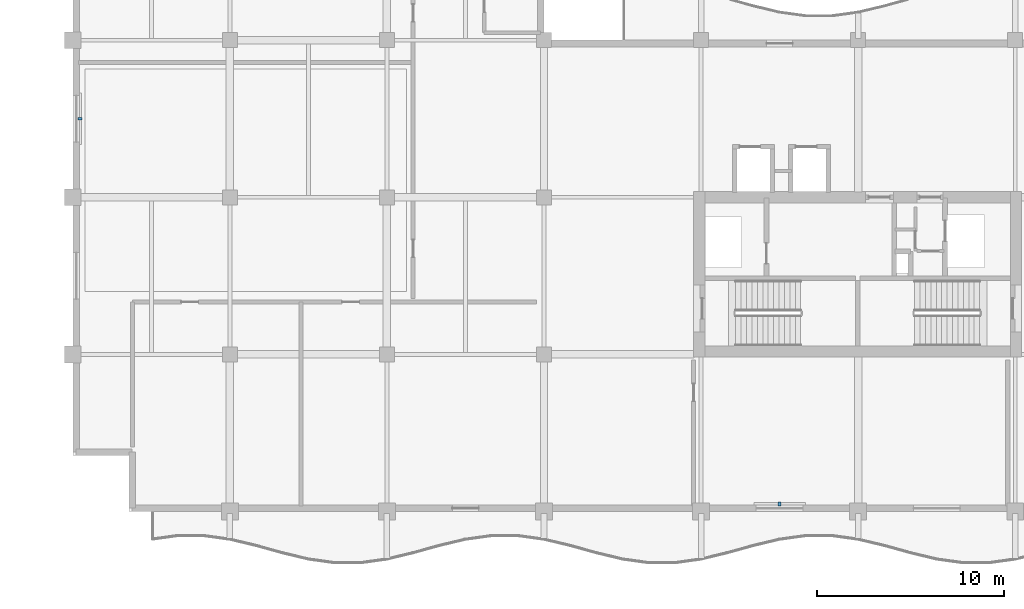
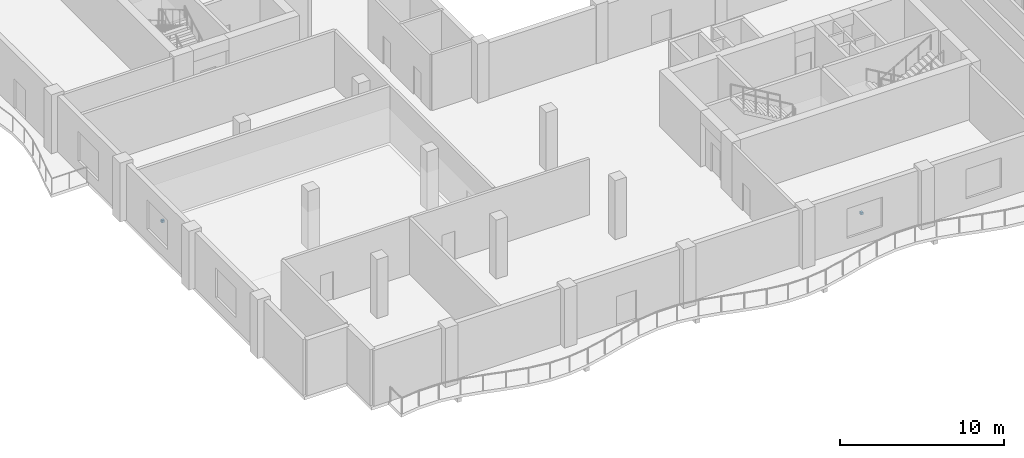
# One storey, part 11 of 16: 2 discrete accessories.
"""IFC4 building model written with IfcOpenShell, lengths in metres."""

from ifc_helpers import new_model, si_unit, direction, frame, origin, origin_2d, place, context, subcontext, project, spatial, rectangle, extrude, material, type_object, element, save


model = new_model("IFC4")

# Units and contexts
model_context = context("Model", 3, precision=1e-05, world=origin(), true_north=direction((0.0, 1.0)))
body_context = subcontext(model_context, "Body", "Model", "MODEL_VIEW")
ifc_project = project(units=[si_unit("LENGTHUNIT", "METRE"), si_unit("AREAUNIT", "SQUARE_METRE"), si_unit("VOLUMEUNIT", "CUBIC_METRE"), si_unit("PLANEANGLEUNIT", "RADIAN"), si_unit("MASSUNIT", "GRAM", prefix="KILO")], contexts=[model_context])

# Site, building, storey
site_placement = place(None, origin())
site = spatial("IfcSite", under=ifc_project, at=site_placement, CompositionType="ELEMENT")
building_placement = place(site_placement, origin())
building = spatial("IfcBuilding", under=site, at=building_placement, Name="Koriwani Terraces Tower", CompositionType="ELEMENT")
storey_placement = place(building_placement, frame((0.0, 0.0, 286.0)))
storey = spatial("IfcBuildingStorey", under=building, at=storey_placement, Name="L71", CompositionType="ELEMENT", Elevation=286.0)

# Discrete accessories
ifc_material = material(Name="Steel ASTM A572 Grade 50", Category="steel")
discrete_accessory_type = type_object("IfcDiscreteAccessoryType", Name="BAGUETTE_STANDOFF_BRACKET", PredefinedType="BRACKET", material=ifc_material)
for number, where, z_axis, x_axis, name in (
    (1, (8.7900390625, 29.39990234375, 1.9951171875), (0.0, 0.0, 1.0), (0.0, 1.0, 0.0), "L71 Terracotta Baguette Bracket (W-6)"),
    (2, (46.199951171875, 8.7900390625, 1.9951171875), (0.0, 0.0, 1.0), (-1.0, 0.0, 0.0), "L71 Terracotta Baguette Bracket (S-12)"),
):
    element("IfcDiscreteAccessory", number, at=place(storey_placement, frame(where, z_axis=z_axis, x_axis=x_axis)), inside=storey, type_object=discrete_accessory_type, Name=name, PredefinedType="BRACKET", context=body_context, shape_type="SweptSolid", body=[
        extrude(rectangle(XDim=0.159912109375, YDim=0.199951171875, at=origin_2d()), origin(), (0.0, 0.0, 1.0), 0.179931640625),
    ])

save(model, "model.ifc")
